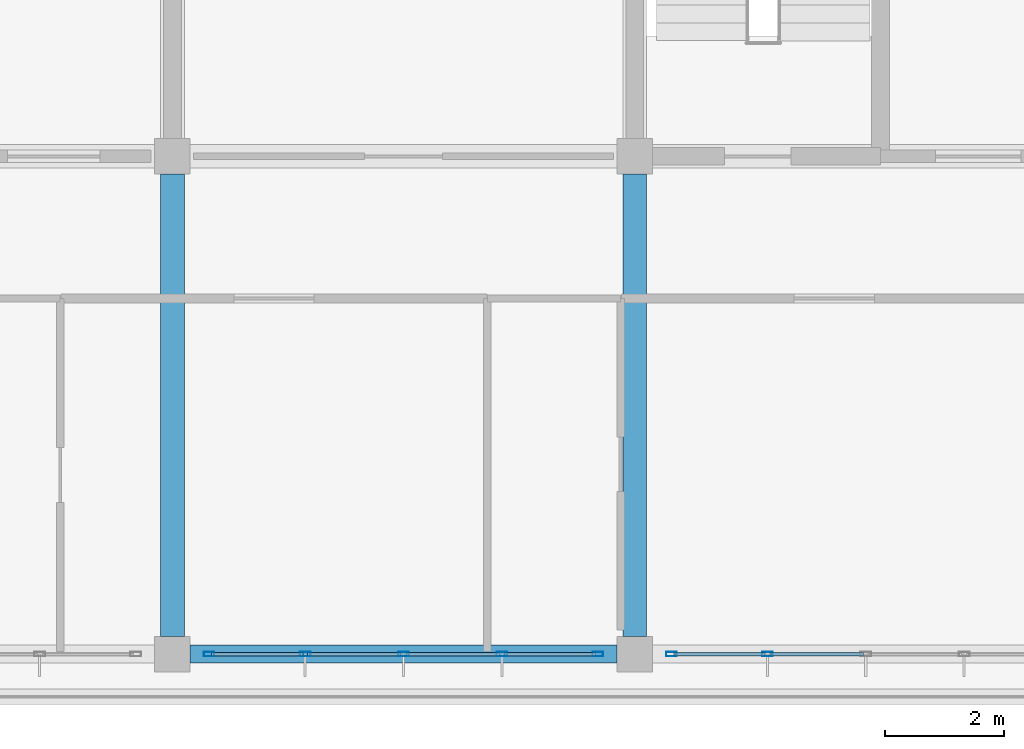
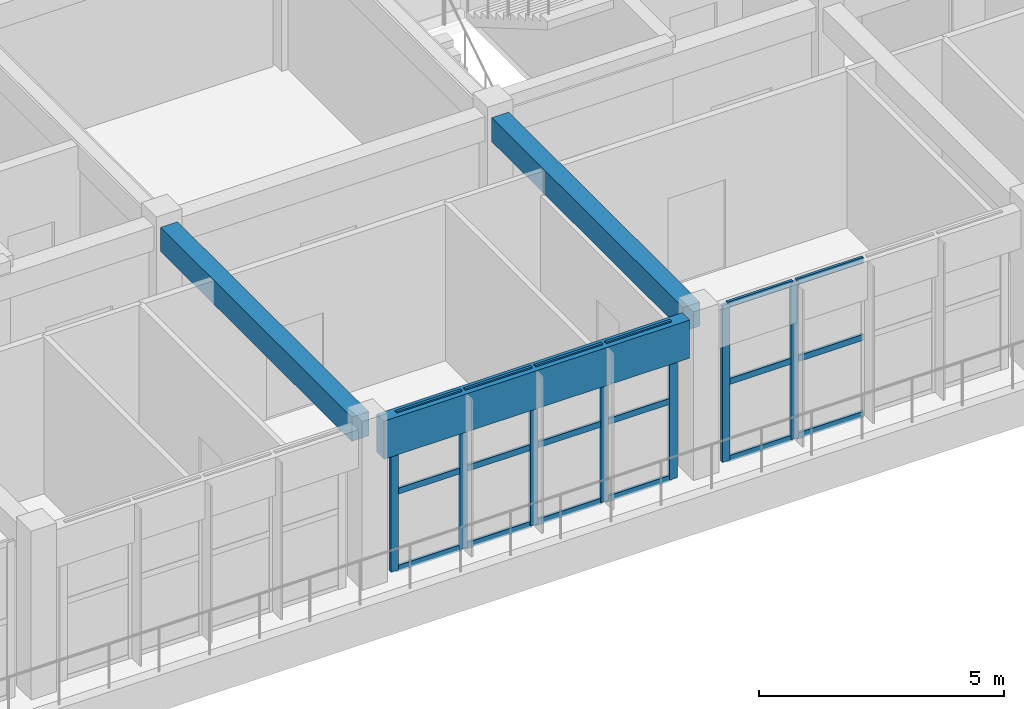
# One storey, part 11 of 50: 25 members, 3 beams, 2 elements without a shape of their own.
"""IFC4 building model written with IfcOpenShell, lengths in metres."""

from ifc_helpers import new_model, si_unit, direction, frame, origin, origin_2d, place, context, subcontext, project, spatial, rectangle, hollow_rectangle, extrude, material, layer, layer_set, material_profile, profile_set, type_object, element, aggregate, save


model = new_model("IFC4")

# Units and contexts
model_context = context("Model", 3, precision=1e-05, world=origin(), true_north=direction((0.0, 1.0)))
body_context = subcontext(model_context, "Body", "Model", "MODEL_VIEW")
ifc_project = project(units=[si_unit("LENGTHUNIT", "METRE"), si_unit("AREAUNIT", "SQUARE_METRE"), si_unit("VOLUMEUNIT", "CUBIC_METRE"), si_unit("PLANEANGLEUNIT", "RADIAN"), si_unit("MASSUNIT", "GRAM", prefix="KILO")], contexts=[model_context])

# Site, building, storey
site_placement = place(None, origin())
site = spatial("IfcSite", under=ifc_project, at=site_placement, CompositionType="ELEMENT")
building_placement = place(site_placement, origin())
building = spatial("IfcBuilding", under=site, at=building_placement, Name="Zizhar Promenade General Hospital", CompositionType="ELEMENT")
storey_placement = place(building_placement, frame((0.0, 0.0, 30.60009765625)))
storey = spatial("IfcBuildingStorey", under=building, at=storey_placement, Name="L07", CompositionType="ELEMENT", Elevation=30.60009765625)

# Beams
ifc_material_1 = material(Name="Precast concrete C40/50", Category="concrete")
ifc_material_profile_1 = material_profile(ifc_material_1, rectangle(XDim=0.300048828125, YDim=0.949951171875, at=origin_2d()))
ifc_profile_set_1 = profile_set([ifc_material_profile_1], Name="Precast concrete C40/50")
beam_type_1 = type_object("IfcBeamType", Name="BM-PC-BAND950", PredefinedType="SPANDREL", material=ifc_profile_set_1)
beam_placement = place(storey_placement, frame((54.89990234375, 0.0, 3.434814453125), z_axis=(1.0, 0.0, 0.0), x_axis=(0.0, 1.0, 0.0)))
element("IfcBeam", 1, at=beam_placement, inside=storey, type_object=beam_type_1, Name="Grid Beam X L07 (7-0)", PredefinedType="SPANDREL", context=body_context, shape_type="SweptSolid", body=[
    extrude(rectangle(XDim=0.300048828125, YDim=0.949951171875, at=origin_2d()), origin(), (0.0, 0.0, 1.0), 7.2001953125),
])
ifc_material_2 = material(Name="Concrete C35/45", Category="concrete")
ifc_material_profile_2 = material_profile(ifc_material_2, rectangle(XDim=0.39990234375, YDim=0.60009765625, at=origin_2d()))
ifc_profile_set_2 = profile_set([ifc_material_profile_2], Name="Concrete C35/45")
beam_type_2 = type_object("IfcBeamType", Name="BM-RC-400x600", PredefinedType="JOIST", material=ifc_profile_set_2)
for number, where, z_axis, x_axis, name in (
    (2, (54.60009765625, 0.300048828125, 3.60986328125), (0.0, 1.0, 0.0), (-1.0, 0.0, 0.0), "Grid Beam Y L07 (7-0)"),
    (3, (62.39990234375, 0.300048828125, 3.60986328125), (0.0, 1.0, 0.0), (-1.0, 0.0, 0.0), "Grid Beam Y L07 (8-0)"),
):
    element("IfcBeam", number, at=place(storey_placement, frame(where, z_axis=z_axis, x_axis=x_axis)), inside=storey, type_object=beam_type_2, Name=name, PredefinedType="JOIST", context=body_context, shape_type="SweptSolid", body=[
        extrude(rectangle(XDim=0.39990234375, YDim=0.60009765625, at=origin_2d()), origin(), (0.0, 0.0, 1.0), 7.800048828125),
    ])

# Curtain wall, members
ifc_material_3 = material(Name="Anodised aluminium 6063-T6 and low-E glass", Category="aluminium")
ifc_layer = layer(ifc_material_3, 0.159912109375)
ifc_layer_set = layer_set([ifc_layer], Name="Anodised aluminium 6063-T6 and low-E glass")
curtain_wall_type = type_object("IfcCurtainWallType", Name="CW-WARD-RIB", PredefinedType="NOTDEFINED", material=ifc_layer_set)
curtain_wall_1_placement = place(storey_placement, origin())
curtain_wall_1 = element("IfcCurtainWall", 4, at=curtain_wall_1_placement, inside=storey, type_object=curtain_wall_type, Name="Ward Ribbon Curtain Wall L07-17-5", PredefinedType="NOTDEFINED")
ifc_material_4 = material(Name="Anodised aluminium 6063-T6", Category="aluminium")
ifc_material_profile_3 = material_profile(ifc_material_4, hollow_rectangle(XDim=0.080078125, YDim=0.179931640625, WallThickness=0.0048828125, at=origin_2d()))
ifc_profile_set_3 = profile_set([ifc_material_profile_3], Name="Anodised aluminium 6063-T6")
member_type_1 = type_object("IfcMemberType", Name="CWM-ALU-180x80", PredefinedType="MULLION", material=ifc_profile_set_3)
member_1_placement = place(storey_placement, frame((64.639892578125, 0.0, 0.0), z_axis=(0.0, 0.0, 1.0), x_axis=(0.0, -1.0, 0.0)))
member_1 = element("IfcMember", 5, at=member_1_placement, type_object=member_type_1, Name="CW-13 mullion 4", PredefinedType="MULLION", context=body_context, shape_type="SweptSolid", body=[
    extrude(hollow_rectangle(XDim=0.080078125, YDim=0.179931640625, WallThickness=0.0048828125, at=origin_2d()), origin(), (0.0, 0.0, 1.0), 3.89990234375),
])
member_2_placement = place(storey_placement, frame((63.02001953125, 0.0, 0.0), z_axis=(0.0, 0.0, 1.0), x_axis=(0.0, -1.0, 0.0)))
member_2 = element("IfcMember", 6, at=member_2_placement, type_object=member_type_1, Name="CW-13 mullion 5", PredefinedType="MULLION", context=body_context, shape_type="SweptSolid", body=[
    extrude(hollow_rectangle(XDim=0.080078125, YDim=0.179931640625, WallThickness=0.0048828125, at=origin_2d()), origin(), (0.0, 0.0, 1.0), 3.89990234375),
])

curtain_wall_2_placement = place(storey_placement, origin())
curtain_wall_2 = element("IfcCurtainWall", 7, at=curtain_wall_2_placement, inside=storey, type_object=curtain_wall_type, Name="Ward Ribbon Curtain Wall L07-17-6", PredefinedType="NOTDEFINED")
member_3_placement = place(storey_placement, frame((61.780029296875, 0.0, 0.0), z_axis=(0.0, 0.0, 1.0), x_axis=(0.0, -1.0, 0.0)))
member_3 = element("IfcMember", 8, at=member_3_placement, type_object=member_type_1, Name="CW-13 mullion 1", PredefinedType="MULLION", context=body_context, shape_type="SweptSolid", body=[
    extrude(hollow_rectangle(XDim=0.080078125, YDim=0.179931640625, WallThickness=0.0048828125, at=origin_2d()), origin(), (0.0, 0.0, 1.0), 3.89990234375),
])
member_4_placement = place(storey_placement, frame((60.159912109375, 0.0, 0.0), z_axis=(0.0, 0.0, 1.0), x_axis=(0.0, -1.0, 0.0)))
member_4 = element("IfcMember", 9, at=member_4_placement, type_object=member_type_1, Name="CW-13 mullion 2", PredefinedType="MULLION", context=body_context, shape_type="SweptSolid", body=[
    extrude(hollow_rectangle(XDim=0.080078125, YDim=0.179931640625, WallThickness=0.0048828125, at=origin_2d()), origin(), (0.0, 0.0, 1.0), 3.89990234375),
])
member_5_placement = place(storey_placement, frame((58.5, 0.0, 0.0), z_axis=(0.0, 0.0, 1.0), x_axis=(0.0, -1.0, 0.0)))
member_5 = element("IfcMember", 10, at=member_5_placement, type_object=member_type_1, Name="CW-13 mullion 3", PredefinedType="MULLION", context=body_context, shape_type="SweptSolid", body=[
    extrude(hollow_rectangle(XDim=0.080078125, YDim=0.179931640625, WallThickness=0.0048828125, at=origin_2d()), origin(), (0.0, 0.0, 1.0), 3.89990234375),
])
member_6_placement = place(storey_placement, frame((56.840087890625, 0.0, 0.0), z_axis=(0.0, 0.0, 1.0), x_axis=(0.0, -1.0, 0.0)))
member_6 = element("IfcMember", 11, at=member_6_placement, type_object=member_type_1, Name="CW-13 mullion 4", PredefinedType="MULLION", context=body_context, shape_type="SweptSolid", body=[
    extrude(hollow_rectangle(XDim=0.080078125, YDim=0.179931640625, WallThickness=0.0048828125, at=origin_2d()), origin(), (0.0, 0.0, 1.0), 3.89990234375),
])
member_7_placement = place(storey_placement, frame((55.219970703125, 0.0, 0.0), z_axis=(0.0, 0.0, 1.0), x_axis=(0.0, -1.0, 0.0)))
member_7 = element("IfcMember", 12, at=member_7_placement, type_object=member_type_1, Name="CW-13 mullion 5", PredefinedType="MULLION", context=body_context, shape_type="SweptSolid", body=[
    extrude(hollow_rectangle(XDim=0.080078125, YDim=0.179931640625, WallThickness=0.0048828125, at=origin_2d()), origin(), (0.0, 0.0, 1.0), 3.89990234375),
])

# Member
ifc_material_5 = material(Name="Anodised aluminium 6063-T6", Category="aluminium")
ifc_material_profile_4 = material_profile(ifc_material_5, hollow_rectangle(XDim=0.06005859375, YDim=0.14990234375, WallThickness=0.00390625, at=origin_2d()))
ifc_profile_set_4 = profile_set([ifc_material_profile_4], Name="Anodised aluminium 6063-T6")
member_type_2 = type_object("IfcMemberType", Name="CWT-ALU-150x60", PredefinedType="USERDEFINED", material=ifc_profile_set_4)
member_8_placement = place(storey_placement, frame((66.260009765625, 0.0, 0.02978515625), z_axis=(-1.0, 0.0, 0.0), x_axis=(0.0, -1.0, 0.0)))
member_8 = element("IfcMember", 13, at=member_8_placement, type_object=member_type_2, Name="CW-13 transom 3.1", ObjectType="TRANSOM", PredefinedType="USERDEFINED", context=body_context, shape_type="SweptSolid", body=[
    extrude(hollow_rectangle(XDim=0.06005859375, YDim=0.14990234375, WallThickness=0.00390625, at=origin_2d()), origin(), (0.0, 0.0, 1.0), 1.580078125),
])

member_9_placement = place(storey_placement, frame((66.260009765625, 0.0, 1.949951171875), z_axis=(-1.0, 0.0, 0.0), x_axis=(0.0, -1.0, 0.0)))
member_9 = element("IfcMember", 14, at=member_9_placement, type_object=member_type_2, Name="CW-13 transom 3.2", ObjectType="TRANSOM", PredefinedType="USERDEFINED", context=body_context, shape_type="SweptSolid", body=[
    extrude(hollow_rectangle(XDim=0.06005859375, YDim=0.14990234375, WallThickness=0.00390625, at=origin_2d()), origin(), (0.0, 0.0, 1.0), 1.580078125),
])

member_10_placement = place(storey_placement, frame((66.260009765625, 0.0, 3.869873046875), z_axis=(-1.0, 0.0, 0.0), x_axis=(0.0, -1.0, 0.0)))
member_10 = element("IfcMember", 15, at=member_10_placement, type_object=member_type_2, Name="CW-13 transom 3.3", ObjectType="TRANSOM", PredefinedType="USERDEFINED", context=body_context, shape_type="SweptSolid", body=[
    extrude(hollow_rectangle(XDim=0.06005859375, YDim=0.14990234375, WallThickness=0.00390625, at=origin_2d()), origin(), (0.0, 0.0, 1.0), 1.580078125),
])

member_11_placement = place(storey_placement, frame((64.60009765625, 0.0, 0.02978515625), z_axis=(-1.0, 0.0, 0.0), x_axis=(0.0, -1.0, 0.0)))
member_11 = element("IfcMember", 16, at=member_11_placement, type_object=member_type_2, Name="CW-13 transom 4.1", ObjectType="TRANSOM", PredefinedType="USERDEFINED", context=body_context, shape_type="SweptSolid", body=[
    extrude(hollow_rectangle(XDim=0.06005859375, YDim=0.14990234375, WallThickness=0.00390625, at=origin_2d()), origin(), (0.0, 0.0, 1.0), 1.5400390625),
])

member_12_placement = place(storey_placement, frame((64.60009765625, 0.0, 1.949951171875), z_axis=(-1.0, 0.0, 0.0), x_axis=(0.0, -1.0, 0.0)))
member_12 = element("IfcMember", 17, at=member_12_placement, type_object=member_type_2, Name="CW-13 transom 4.2", ObjectType="TRANSOM", PredefinedType="USERDEFINED", context=body_context, shape_type="SweptSolid", body=[
    extrude(hollow_rectangle(XDim=0.06005859375, YDim=0.14990234375, WallThickness=0.00390625, at=origin_2d()), origin(), (0.0, 0.0, 1.0), 1.5400390625),
])

member_13_placement = place(storey_placement, frame((64.60009765625, 0.0, 3.869873046875), z_axis=(-1.0, 0.0, 0.0), x_axis=(0.0, -1.0, 0.0)))
member_13 = element("IfcMember", 18, at=member_13_placement, type_object=member_type_2, Name="CW-13 transom 4.3", ObjectType="TRANSOM", PredefinedType="USERDEFINED", context=body_context, shape_type="SweptSolid", body=[
    extrude(hollow_rectangle(XDim=0.06005859375, YDim=0.14990234375, WallThickness=0.00390625, at=origin_2d()), origin(), (0.0, 0.0, 1.0), 1.5400390625),
])

aggregate(curtain_wall_1, [member_1, member_2, member_8, member_9, member_10, member_11, member_12, member_13])

member_14_placement = place(storey_placement, frame((61.739990234375, 0.0, 0.02978515625), z_axis=(-1.0, 0.0, 0.0), x_axis=(0.0, -1.0, 0.0)))
member_14 = element("IfcMember", 19, at=member_14_placement, type_object=member_type_2, Name="CW-13 transom 1.1", ObjectType="TRANSOM", PredefinedType="USERDEFINED", context=body_context, shape_type="SweptSolid", body=[
    extrude(hollow_rectangle(XDim=0.06005859375, YDim=0.14990234375, WallThickness=0.00390625, at=origin_2d()), origin(), (0.0, 0.0, 1.0), 1.5400390625),
])

member_15_placement = place(storey_placement, frame((61.739990234375, 0.0, 1.949951171875), z_axis=(-1.0, 0.0, 0.0), x_axis=(0.0, -1.0, 0.0)))
member_15 = element("IfcMember", 20, at=member_15_placement, type_object=member_type_2, Name="CW-13 transom 1.2", ObjectType="TRANSOM", PredefinedType="USERDEFINED", context=body_context, shape_type="SweptSolid", body=[
    extrude(hollow_rectangle(XDim=0.06005859375, YDim=0.14990234375, WallThickness=0.00390625, at=origin_2d()), origin(), (0.0, 0.0, 1.0), 1.5400390625),
])

member_16_placement = place(storey_placement, frame((61.739990234375, 0.0, 3.869873046875), z_axis=(-1.0, 0.0, 0.0), x_axis=(0.0, -1.0, 0.0)))
member_16 = element("IfcMember", 21, at=member_16_placement, type_object=member_type_2, Name="CW-13 transom 1.3", ObjectType="TRANSOM", PredefinedType="USERDEFINED", context=body_context, shape_type="SweptSolid", body=[
    extrude(hollow_rectangle(XDim=0.06005859375, YDim=0.14990234375, WallThickness=0.00390625, at=origin_2d()), origin(), (0.0, 0.0, 1.0), 1.5400390625),
])

member_17_placement = place(storey_placement, frame((60.1201171875, 0.0, 0.02978515625), z_axis=(-1.0, 0.0, 0.0), x_axis=(0.0, -1.0, 0.0)))
member_17 = element("IfcMember", 22, at=member_17_placement, type_object=member_type_2, Name="CW-13 transom 2.1", ObjectType="TRANSOM", PredefinedType="USERDEFINED", context=body_context, shape_type="SweptSolid", body=[
    extrude(hollow_rectangle(XDim=0.06005859375, YDim=0.14990234375, WallThickness=0.00390625, at=origin_2d()), origin(), (0.0, 0.0, 1.0), 1.580078125),
])

member_18_placement = place(storey_placement, frame((60.1201171875, 0.0, 1.949951171875), z_axis=(-1.0, 0.0, 0.0), x_axis=(0.0, -1.0, 0.0)))
member_18 = element("IfcMember", 23, at=member_18_placement, type_object=member_type_2, Name="CW-13 transom 2.2", ObjectType="TRANSOM", PredefinedType="USERDEFINED", context=body_context, shape_type="SweptSolid", body=[
    extrude(hollow_rectangle(XDim=0.06005859375, YDim=0.14990234375, WallThickness=0.00390625, at=origin_2d()), origin(), (0.0, 0.0, 1.0), 1.580078125),
])

member_19_placement = place(storey_placement, frame((60.1201171875, 0.0, 3.869873046875), z_axis=(-1.0, 0.0, 0.0), x_axis=(0.0, -1.0, 0.0)))
member_19 = element("IfcMember", 24, at=member_19_placement, type_object=member_type_2, Name="CW-13 transom 2.3", ObjectType="TRANSOM", PredefinedType="USERDEFINED", context=body_context, shape_type="SweptSolid", body=[
    extrude(hollow_rectangle(XDim=0.06005859375, YDim=0.14990234375, WallThickness=0.00390625, at=origin_2d()), origin(), (0.0, 0.0, 1.0), 1.580078125),
])

member_20_placement = place(storey_placement, frame((58.4599609375, 0.0, 0.02978515625), z_axis=(-1.0, 0.0, 0.0), x_axis=(0.0, -1.0, 0.0)))
member_20 = element("IfcMember", 25, at=member_20_placement, type_object=member_type_2, Name="CW-13 transom 3.1", ObjectType="TRANSOM", PredefinedType="USERDEFINED", context=body_context, shape_type="SweptSolid", body=[
    extrude(hollow_rectangle(XDim=0.06005859375, YDim=0.14990234375, WallThickness=0.00390625, at=origin_2d()), origin(), (0.0, 0.0, 1.0), 1.580078125),
])

member_21_placement = place(storey_placement, frame((58.4599609375, 0.0, 1.949951171875), z_axis=(-1.0, 0.0, 0.0), x_axis=(0.0, -1.0, 0.0)))
member_21 = element("IfcMember", 26, at=member_21_placement, type_object=member_type_2, Name="CW-13 transom 3.2", ObjectType="TRANSOM", PredefinedType="USERDEFINED", context=body_context, shape_type="SweptSolid", body=[
    extrude(hollow_rectangle(XDim=0.06005859375, YDim=0.14990234375, WallThickness=0.00390625, at=origin_2d()), origin(), (0.0, 0.0, 1.0), 1.580078125),
])

member_22_placement = place(storey_placement, frame((58.4599609375, 0.0, 3.869873046875), z_axis=(-1.0, 0.0, 0.0), x_axis=(0.0, -1.0, 0.0)))
member_22 = element("IfcMember", 27, at=member_22_placement, type_object=member_type_2, Name="CW-13 transom 3.3", ObjectType="TRANSOM", PredefinedType="USERDEFINED", context=body_context, shape_type="SweptSolid", body=[
    extrude(hollow_rectangle(XDim=0.06005859375, YDim=0.14990234375, WallThickness=0.00390625, at=origin_2d()), origin(), (0.0, 0.0, 1.0), 1.580078125),
])

member_23_placement = place(storey_placement, frame((56.800048828125, 0.0, 0.02978515625), z_axis=(-1.0, 0.0, 0.0), x_axis=(0.0, -1.0, 0.0)))
member_23 = element("IfcMember", 28, at=member_23_placement, type_object=member_type_2, Name="CW-13 transom 4.1", ObjectType="TRANSOM", PredefinedType="USERDEFINED", context=body_context, shape_type="SweptSolid", body=[
    extrude(hollow_rectangle(XDim=0.06005859375, YDim=0.14990234375, WallThickness=0.00390625, at=origin_2d()), origin(), (0.0, 0.0, 1.0), 1.5400390625),
])

member_24_placement = place(storey_placement, frame((56.800048828125, 0.0, 1.949951171875), z_axis=(-1.0, 0.0, 0.0), x_axis=(0.0, -1.0, 0.0)))
member_24 = element("IfcMember", 29, at=member_24_placement, type_object=member_type_2, Name="CW-13 transom 4.2", ObjectType="TRANSOM", PredefinedType="USERDEFINED", context=body_context, shape_type="SweptSolid", body=[
    extrude(hollow_rectangle(XDim=0.06005859375, YDim=0.14990234375, WallThickness=0.00390625, at=origin_2d()), origin(), (0.0, 0.0, 1.0), 1.5400390625),
])

member_25_placement = place(storey_placement, frame((56.800048828125, 0.0, 3.869873046875), z_axis=(-1.0, 0.0, 0.0), x_axis=(0.0, -1.0, 0.0)))
member_25 = element("IfcMember", 30, at=member_25_placement, type_object=member_type_2, Name="CW-13 transom 4.3", ObjectType="TRANSOM", PredefinedType="USERDEFINED", context=body_context, shape_type="SweptSolid", body=[
    extrude(hollow_rectangle(XDim=0.06005859375, YDim=0.14990234375, WallThickness=0.00390625, at=origin_2d()), origin(), (0.0, 0.0, 1.0), 1.5400390625),
])

aggregate(curtain_wall_2, [member_3, member_4, member_5, member_6, member_7, member_14, member_15, member_16, member_17, member_18, member_19, member_20, member_21, member_22, member_23, member_24, member_25])

save(model, "model.ifc")
